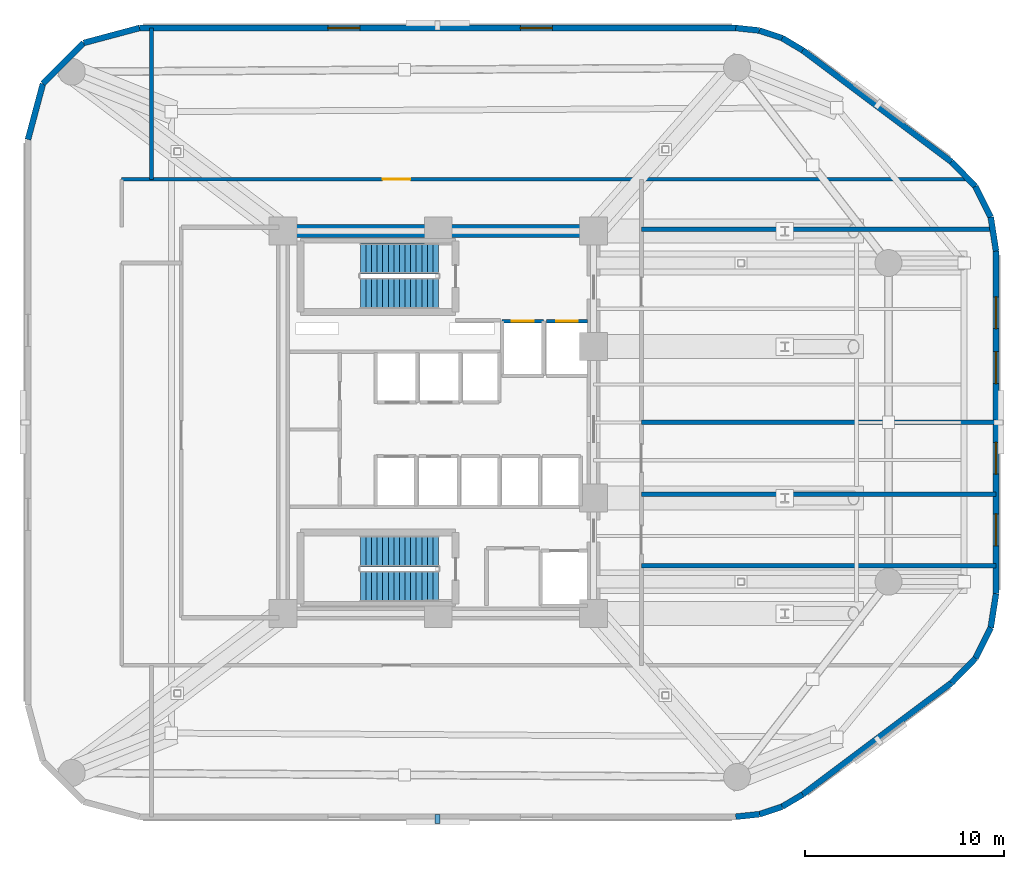
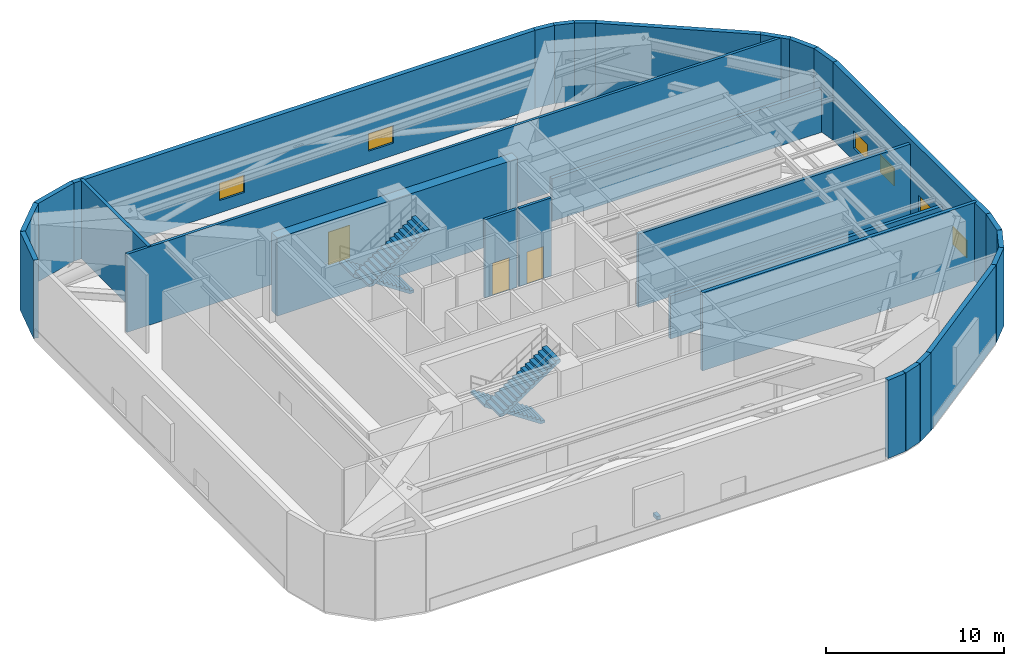
# One storey, part 7 of 10: 28 walls, 6 windows, 4 stair flights, 3 doors, 1 discrete accessory, 9 openings, 2 elements without a shape of their own.
"""IFC4 building model written with IfcOpenShell, lengths in metres."""

from ifc_helpers import new_model, si_unit, direction, frame, frame_2d, origin, origin_2d, place, context, subcontext, project, spatial, polyline, rectangle, outline, extrude, material, layer, layer_set, type_object, element, fill, aggregate, save


model = new_model("IFC4")

# Units and contexts
model_context = context("Model", 3, precision=1e-05, world=origin(), true_north=direction((0.0, 1.0)))
body_context = subcontext(model_context, "Body", "Model", "MODEL_VIEW")
ifc_project = project(units=[si_unit("LENGTHUNIT", "METRE"), si_unit("AREAUNIT", "SQUARE_METRE"), si_unit("VOLUMEUNIT", "CUBIC_METRE"), si_unit("PLANEANGLEUNIT", "RADIAN"), si_unit("MASSUNIT", "GRAM", prefix="KILO")], contexts=[model_context])

# Site, building, storey
site_placement = place(None, origin())
site = spatial("IfcSite", under=ifc_project, at=site_placement, CompositionType="ELEMENT")
building_placement = place(site_placement, origin())
building = spatial("IfcBuilding", under=site, at=building_placement, Name="An Khanh Terracotta Commons", CompositionType="ELEMENT")
storey_placement = place(building_placement, frame((0.0, 0.0, 133.10009765625)))
storey = spatial("IfcBuildingStorey", under=building, at=storey_placement, Name="L35", CompositionType="ELEMENT", Elevation=133.10009765625)

# Wall
ifc_material_1 = material(Name="Concrete C60/75", Category="concrete")
ifc_layer_1 = layer(ifc_material_1, 0.64990234375, Name="Concrete C60/75")
ifc_layer_set_1 = layer_set([ifc_layer_1], Name="Concrete C60/75")
wall_type_1 = type_object("IfcWallType", Name="WALL-CORE-650", PredefinedType="SHEAR", material=ifc_layer_set_1)
wall_1_placement = place(storey_placement, frame((21.60009765625, 33.60009765625, 0.0), z_axis=(0.0, 0.0, 1.0), x_axis=(1.0, 0.0, 0.0)))
element("IfcWall", 1, at=wall_1_placement, inside=storey, type_object=wall_type_1, Name="L35 Core Wall CWALL-L35-N", PredefinedType="SHEAR", context=body_context, shape_type="SweptSolid", body=[
    extrude(rectangle(XDim=15.599853515625, YDim=0.64990234375, at=frame_2d((7.7998046875, 0.0))), origin(), (0.0, 0.0, 1.0), 5.35986328125),
])

# Wall, opening, door
ifc_material_2 = material(Name="Fire-Rated Gypsum Board on Steel Stud", Category="steel")
ifc_layer_2 = layer(ifc_material_2, 0.179931640625, Name="Fire-Rated Gypsum Board on Steel Stud")
ifc_layer_set_2 = layer_set([ifc_layer_2], Name="Fire-Rated Gypsum Board on Steel Stud")
wall_type_2 = type_object("IfcWallType", Name="WALL-CORR-180", PredefinedType="PARTITIONING", material=ifc_layer_set_2)
wall_2_placement = place(storey_placement, frame((32.60009765625, 29.080078125, 0.0), z_axis=(0.0, 0.0, 1.0), x_axis=(1.0, 0.0, 0.0)))
wall_2 = element("IfcWall", 2, at=wall_2_placement, inside=storey, type_object=wall_type_2, Name="L35 Core Wall LSH-L35-FFL-01-N", PredefinedType="PARTITIONING", context=body_context, shape_type="SweptSolid", body=[
    extrude(rectangle(XDim=2.079833984375, YDim=0.179931640625, at=frame_2d((1.0400390625, 0.0))), origin(), (0.0, 0.0, 1.0), 5.35986328125),
])
opening_1_placement = place(wall_2_placement, frame((0.489990234375, 0.0, 0.0)))
opening_1 = element("IfcOpeningElement", 3, at=opening_1_placement, cuts=wall_2, Name="Opening LD-FFL-01-L35", PredefinedType="OPENING", context=body_context, shape_type="SweptSolid", body=[
    extrude(rectangle(XDim=1.10009765625, YDim=2.199951171875, at=frame_2d((0.550048828125, 1.10009765625))), frame((0.0, 0.099853515625, 0.0), z_axis=(0.0, -1.0, 0.0), x_axis=(1.0, 0.0, 0.0)), (0.0, 0.0, 1.0), 0.199951171875),
])
ifc_material_3 = material(Name="Brushed Stainless Steel Fire Landing Door", Category="steel")
door_type_1 = type_object("IfcDoorType", Name="DOOR-LD-FFL-1100", OperationType="NOTDEFINED", PredefinedType="DOOR", material=ifc_material_3)
door_1_placement = place(opening_1_placement, origin())
door_1 = element("IfcDoor", 4, at=door_1_placement, inside=storey, type_object=door_type_1, Name="L35 Lift FFL-01 Sliding Landing Door", OperationType="DOUBLE_DOOR_SLIDING", OverallHeight=2.199951171875, OverallWidth=1.10009765625, PredefinedType="DOOR", context=body_context, shape_type="SweptSolid", body=[
    extrude(rectangle(XDim=1.10009765625, YDim=2.199951171875, at=frame_2d((0.550048828125, 1.10009765625))), frame((0.0, 0.02490234375, 0.0), z_axis=(0.0, -1.0, 0.0), x_axis=(1.0, 0.0, 0.0)), (0.0, 0.0, 1.0), 0.050048828125),
])
fill(opening_1, door_1)

wall_3_placement = place(storey_placement, frame((34.820068359375, 29.080078125, 0.0), z_axis=(0.0, 0.0, 1.0), x_axis=(1.0, 0.0, 0.0)))
wall_3 = element("IfcWall", 5, at=wall_3_placement, inside=storey, type_object=wall_type_2, Name="L35 Core Wall LSH-L35-FFL-02-N", PredefinedType="PARTITIONING", context=body_context, shape_type="SweptSolid", body=[
    extrude(rectangle(XDim=2.079833984375, YDim=0.179931640625, at=frame_2d((1.0400390625, 0.0))), origin(), (0.0, 0.0, 1.0), 5.35986328125),
])
opening_2_placement = place(wall_3_placement, frame((0.489990234375, 0.0, 0.0)))
opening_2 = element("IfcOpeningElement", 6, at=opening_2_placement, cuts=wall_3, Name="Opening LD-FFL-02-L35", PredefinedType="OPENING", context=body_context, shape_type="SweptSolid", body=[
    extrude(rectangle(XDim=1.10009765625, YDim=2.199951171875, at=frame_2d((0.550048828125, 1.10009765625))), frame((0.0, 0.099853515625, 0.0), z_axis=(0.0, -1.0, 0.0), x_axis=(1.0, 0.0, 0.0)), (0.0, 0.0, 1.0), 0.199951171875),
])
door_2_placement = place(opening_2_placement, origin())
door_2 = element("IfcDoor", 7, at=door_2_placement, inside=storey, type_object=door_type_1, Name="L35 Lift FFL-02 Sliding Landing Door", OperationType="DOUBLE_DOOR_SLIDING", OverallHeight=2.199951171875, OverallWidth=1.10009765625, PredefinedType="DOOR", context=body_context, shape_type="SweptSolid", body=[
    extrude(rectangle(XDim=1.10009765625, YDim=2.199951171875, at=frame_2d((0.550048828125, 1.10009765625))), frame((0.0, 0.02490234375, 0.0), z_axis=(0.0, -1.0, 0.0), x_axis=(1.0, 0.0, 0.0)), (0.0, 0.0, 1.0), 0.050048828125),
])
fill(opening_2, door_2)

wall_4_placement = place(storey_placement, frame((13.5, 36.199951171875, 0.0), z_axis=(0.0, 0.0, 1.0), x_axis=(1.0, 0.0, 0.0)))
wall_4 = element("IfcWall", 8, at=wall_4_placement, inside=storey, type_object=wall_type_2, Name="L35 Interior Partition IW-L35-E009", PredefinedType="PARTITIONING", context=body_context, shape_type="SweptSolid", body=[
    extrude(rectangle(XDim=42.51904296875, YDim=0.179931640625, at=frame_2d((21.259521484375, 0.0))), origin(), (0.0, 0.0, 1.0), 5.35986328125),
])
opening_3_placement = place(wall_4_placement, frame((13.10009765625, 0.0, 0.0)))
opening_3 = element("IfcOpeningElement", 9, at=opening_3_placement, cuts=wall_4, Name="Opening D-PL", PredefinedType="OPENING", context=body_context, shape_type="SweptSolid", body=[
    extrude(rectangle(XDim=1.39990234375, YDim=2.25, at=frame_2d((0.699951171875, 1.125))), frame((0.0, 0.099853515625, 0.0), z_axis=(0.0, -1.0, 0.0), x_axis=(1.0, 0.0, 0.0)), (0.0, 0.0, 1.0), 0.199951171875),
])
ifc_material_4 = material(Name="Heavy-Duty Acoustic Steel Double Plant Door", Category="steel")
door_type_2 = type_object("IfcDoorType", Name="DOOR-PLANT-1400", OperationType="NOTDEFINED", PredefinedType="DOOR", material=ifc_material_4)
door_3_placement = place(opening_3_placement, origin())
door_3 = element("IfcDoor", 10, at=door_3_placement, inside=storey, type_object=door_type_2, Name="L35 REFN North Pressurised Refuge Area Door", OperationType="DOUBLE_DOOR_SINGLE_SWING", OverallHeight=2.25, OverallWidth=1.39990234375, PredefinedType="DOOR", context=body_context, shape_type="SweptSolid", body=[
    extrude(rectangle(XDim=1.39990234375, YDim=2.25, at=frame_2d((0.699951171875, 1.125))), frame((0.0, 0.02490234375, 0.0), z_axis=(0.0, -1.0, 0.0), x_axis=(1.0, 0.0, 0.0)), (0.0, 0.0, 1.0), 0.050048828125),
])
fill(opening_3, door_3)

# Walls
ifc_material_5 = material(Name="Precast concrete C40/50", Category="concrete")
ifc_layer_3 = layer(ifc_material_5, 0.300048828125, Name="Precast concrete C40/50")
ifc_layer_set_3 = layer_set([ifc_layer_3], Name="Precast concrete C40/50")
wall_type_3 = type_object("IfcWallType", Name="WALL-EXT-300", PredefinedType="SOLIDWALL", material=ifc_layer_set_3)
wall_5_placement = place(storey_placement, frame((44.3330078125, 4.199951171875, 0.0), z_axis=(0.0, 0.0, 1.0), x_axis=(0.994289103787, 0.106720092254, 0.0)))
element("IfcWall", 11, at=wall_5_placement, inside=storey, type_object=wall_type_3, Name="L35 Insulated Terracotta Exterior Wall 5", PredefinedType="SOLIDWALL", context=body_context, shape_type="SweptSolid", body=[
    extrude(rectangle(XDim=1.19873046875, YDim=0.300048828125, at=frame_2d((0.599365234375, 0.0))), origin(), (0.0, 0.0, 1.0), 5.35986328125),
])
wall_6_placement = place(storey_placement, frame((45.52490234375, 4.327880859375, 0.0), z_axis=(0.0, 0.0, 1.0), x_axis=(0.948744332129, 0.316044604847, 0.0)))
element("IfcWall", 12, at=wall_6_placement, inside=storey, type_object=wall_type_3, Name="L35 Insulated Terracotta Exterior Wall 6", PredefinedType="SOLIDWALL", context=body_context, shape_type="SweptSolid", body=[
    extrude(rectangle(XDim=1.19970703125, YDim=0.300048828125, at=frame_2d((0.599853515625, 0.0))), origin(), (0.0, 0.0, 1.0), 5.35986328125),
])
wall_7_placement = place(storey_placement, frame((46.6630859375, 4.70703125, 0.0), z_axis=(0.0, 0.0, 1.0), x_axis=(0.859320591642, 0.511437308749, 0.0)))
element("IfcWall", 13, at=wall_7_placement, inside=storey, type_object=wall_type_3, Name="L35 Insulated Terracotta Exterior Wall 7", PredefinedType="SOLIDWALL", context=body_context, shape_type="SweptSolid", body=[
    extrude(rectangle(XDim=1.19873046875, YDim=0.300048828125, at=frame_2d((0.599365234375, 0.0))), origin(), (0.0, 0.0, 1.0), 5.35986328125),
])
wall_8_placement = place(storey_placement, frame((47.693115234375, 5.320068359375, 0.0), z_axis=(0.0, 0.0, 1.0), x_axis=(0.800012555607, 0.599983258826, 0.0)))
element("IfcWall", 14, at=wall_8_placement, inside=storey, type_object=wall_type_3, Name="L35 Insulated Terracotta Exterior Wall 8", PredefinedType="SOLIDWALL", context=body_context, shape_type="SweptSolid", body=[
    extrude(rectangle(XDim=9.333251953125, YDim=0.300048828125, at=frame_2d((4.66650390625, 0.0))), origin(), (0.0, 0.0, 1.0), 5.35986328125),
])
for number, where, z_axis, x_axis, name in (
    (15, (55.159912109375, 10.919921875, 0.0), (0.0, 0.0, 1.0), (0.6983450845, 0.715761233201, 0.0), "L35 Insulated Terracotta Exterior Wall 9"),
    (16, (56.364013671875, 12.154052734375, 0.0), (0.0, 0.0, 1.0), (0.4472135955, 0.894427191, 0.0), "L35 Insulated Terracotta Exterior Wall 10"),
):
    element("IfcWall", number, at=place(storey_placement, frame(where, z_axis=z_axis, x_axis=x_axis)), inside=storey, type_object=wall_type_3, Name=name, PredefinedType="SOLIDWALL", context=body_context, shape_type="SweptSolid", body=[
        extrude(rectangle(XDim=1.72412109375, YDim=0.300048828125, at=frame_2d((0.862060546875, 0.0))), origin(), (0.0, 0.0, 1.0), 5.35986328125),
    ])
wall_9_placement = place(storey_placement, frame((57.135009765625, 13.696044921875, 0.0), z_axis=(0.0, 0.0, 1.0), x_axis=(0.153620989032, 0.988129845581, 0.0)))
element("IfcWall", 17, at=wall_9_placement, inside=storey, type_object=wall_type_3, Name="L35 Insulated Terracotta Exterior Wall 11", PredefinedType="SOLIDWALL", context=body_context, shape_type="SweptSolid", body=[
    extrude(rectangle(XDim=1.724365234375, YDim=0.300048828125, at=frame_2d((0.8623046875, 0.0))), origin(), (0.0, 0.0, 1.0), 5.35986328125),
])

# Wall, openings, windows
wall_10_placement = place(storey_placement, frame((57.39990234375, 15.39990234375, 0.0), z_axis=(0.0, 0.0, 1.0), x_axis=(0.0, 1.0, 0.0)))
wall_10 = element("IfcWall", 18, at=wall_10_placement, inside=storey, type_object=wall_type_3, Name="L35 Insulated Terracotta Exterior Wall 12", PredefinedType="SOLIDWALL", context=body_context, shape_type="SweptSolid", body=[
    extrude(rectangle(XDim=17.2001953125, YDim=0.300048828125, at=frame_2d((8.60009765625, 0.0))), origin(), (0.0, 0.0, 1.0), 5.35986328125),
])
opening_4_placement = place(wall_10_placement, frame((2.39990234375, 0.0, 0.85009765625)))
opening_4 = element("IfcOpeningElement", 19, at=opening_4_placement, cuts=wall_10, Name="Opening W-12", PredefinedType="OPENING", context=body_context, shape_type="SweptSolid", body=[
    extrude(rectangle(XDim=1.60009765625, YDim=1.199951171875, at=frame_2d((0.800048828125, 0.60009765625))), frame((0.0, 0.159912109375, 0.0), z_axis=(0.0, -1.0, 0.0), x_axis=(1.0, 0.0, 0.0)), (0.0, 0.0, 1.0), 0.320068359375),
])
opening_5_placement = place(wall_10_placement, frame((6.0, 0.0, 0.85009765625)))
opening_5 = element("IfcOpeningElement", 20, at=opening_5_placement, cuts=wall_10, Name="Opening W-12", PredefinedType="OPENING", context=body_context, shape_type="SweptSolid", body=[
    extrude(rectangle(XDim=1.60009765625, YDim=1.199951171875, at=frame_2d((0.800048828125, 0.60009765625))), frame((0.0, 0.159912109375, 0.0), z_axis=(0.0, -1.0, 0.0), x_axis=(1.0, 0.0, 0.0)), (0.0, 0.0, 1.0), 0.320068359375),
])
opening_6_placement = place(wall_10_placement, frame((10.550048828125, 0.0, 0.85009765625)))
opening_6 = element("IfcOpeningElement", 21, at=opening_6_placement, cuts=wall_10, Name="Opening W-12", PredefinedType="OPENING", context=body_context, shape_type="SweptSolid", body=[
    extrude(rectangle(XDim=1.60009765625, YDim=1.199951171875, at=frame_2d((0.800048828125, 0.60009765625))), frame((0.0, 0.159912109375, 0.0), z_axis=(0.0, -1.0, 0.0), x_axis=(1.0, 0.0, 0.0)), (0.0, 0.0, 1.0), 0.320068359375),
])
opening_7_placement = place(wall_10_placement, frame((13.300048828125, 0.0, 0.85009765625)))
opening_7 = element("IfcOpeningElement", 22, at=opening_7_placement, cuts=wall_10, Name="Opening W-12", PredefinedType="OPENING", context=body_context, shape_type="SweptSolid", body=[
    extrude(rectangle(XDim=1.60009765625, YDim=1.199951171875, at=frame_2d((0.800048828125, 0.60009765625))), frame((0.0, 0.159912109375, 0.0), z_axis=(0.0, -1.0, 0.0), x_axis=(1.0, 0.0, 0.0)), (0.0, 0.0, 1.0), 0.320068359375),
])
ifc_material_6 = material(Name="Thermally Broken Aluminium and Low-E Glass", Category="aluminium")
window_type = type_object("IfcWindowType", Name="WIN-REF-1600x1200", PartitioningType="DOUBLE_PANEL_VERTICAL", PredefinedType="WINDOW", material=ifc_material_6)
window_1_placement = place(opening_4_placement, origin())
window_1 = element("IfcWindow", 23, at=window_1_placement, inside=storey, type_object=window_type, Name="L35 Operable Casement Window 12.1", OverallHeight=1.199951171875, OverallWidth=1.60009765625, PartitioningType="DOUBLE_PANEL_VERTICAL", PredefinedType="WINDOW", context=body_context, shape_type="SweptSolid", body=[
    extrude(rectangle(XDim=1.60009765625, YDim=1.199951171875, at=frame_2d((0.800048828125, 0.60009765625))), frame((0.0, 0.030029296875, 0.0), z_axis=(0.0, -1.0, 0.0), x_axis=(1.0, 0.0, 0.0)), (0.0, 0.0, 1.0), 0.06005859375),
])
fill(opening_4, window_1)
window_2_placement = place(opening_5_placement, origin())
window_2 = element("IfcWindow", 24, at=window_2_placement, inside=storey, type_object=window_type, Name="L35 Operable Casement Window 12.2", OverallHeight=1.199951171875, OverallWidth=1.60009765625, PartitioningType="DOUBLE_PANEL_VERTICAL", PredefinedType="WINDOW", context=body_context, shape_type="SweptSolid", body=[
    extrude(rectangle(XDim=1.60009765625, YDim=1.199951171875, at=frame_2d((0.800048828125, 0.60009765625))), frame((0.0, 0.030029296875, 0.0), z_axis=(0.0, -1.0, 0.0), x_axis=(1.0, 0.0, 0.0)), (0.0, 0.0, 1.0), 0.06005859375),
])
fill(opening_5, window_2)
window_3_placement = place(opening_6_placement, origin())
window_3 = element("IfcWindow", 25, at=window_3_placement, inside=storey, type_object=window_type, Name="L35 Operable Casement Window 12.3", OverallHeight=1.199951171875, OverallWidth=1.60009765625, PartitioningType="DOUBLE_PANEL_VERTICAL", PredefinedType="WINDOW", context=body_context, shape_type="SweptSolid", body=[
    extrude(rectangle(XDim=1.60009765625, YDim=1.199951171875, at=frame_2d((0.800048828125, 0.60009765625))), frame((0.0, 0.030029296875, 0.0), z_axis=(0.0, -1.0, 0.0), x_axis=(1.0, 0.0, 0.0)), (0.0, 0.0, 1.0), 0.06005859375),
])
fill(opening_6, window_3)
window_4_placement = place(opening_7_placement, origin())
window_4 = element("IfcWindow", 26, at=window_4_placement, inside=storey, type_object=window_type, Name="L35 Operable Casement Window 12.4", OverallHeight=1.199951171875, OverallWidth=1.60009765625, PartitioningType="DOUBLE_PANEL_VERTICAL", PredefinedType="WINDOW", context=body_context, shape_type="SweptSolid", body=[
    extrude(rectangle(XDim=1.60009765625, YDim=1.199951171875, at=frame_2d((0.800048828125, 0.60009765625))), frame((0.0, 0.030029296875, 0.0), z_axis=(0.0, -1.0, 0.0), x_axis=(1.0, 0.0, 0.0)), (0.0, 0.0, 1.0), 0.06005859375),
])
fill(opening_7, window_4)

# Walls
wall_11_placement = place(storey_placement, frame((57.39990234375, 32.60009765625, 0.0), z_axis=(0.0, 0.0, 1.0), x_axis=(-0.153620989032, 0.988129845581, 0.0)))
element("IfcWall", 27, at=wall_11_placement, inside=storey, type_object=wall_type_3, Name="L35 Insulated Terracotta Exterior Wall 13", PredefinedType="SOLIDWALL", context=body_context, shape_type="SweptSolid", body=[
    extrude(rectangle(XDim=1.724365234375, YDim=0.300048828125, at=frame_2d((0.8623046875, 0.0))), origin(), (0.0, 0.0, 1.0), 5.35986328125),
])
for number, where, z_axis, x_axis, name in (
    (28, (57.135009765625, 34.303955078125, 0.0), (0.0, 0.0, 1.0), (-0.4472135955, 0.894427191, 0.0), "L35 Insulated Terracotta Exterior Wall 14"),
    (29, (56.364013671875, 35.845947265625, 0.0), (0.0, 0.0, 1.0), (-0.6983450845, 0.715761233201, 0.0), "L35 Insulated Terracotta Exterior Wall 15"),
):
    element("IfcWall", number, at=place(storey_placement, frame(where, z_axis=z_axis, x_axis=x_axis)), inside=storey, type_object=wall_type_3, Name=name, PredefinedType="SOLIDWALL", context=body_context, shape_type="SweptSolid", body=[
        extrude(rectangle(XDim=1.72412109375, YDim=0.300048828125, at=frame_2d((0.862060546875, 0.0))), origin(), (0.0, 0.0, 1.0), 5.35986328125),
    ])
wall_12_placement = place(storey_placement, frame((55.159912109375, 37.080078125, 0.0), z_axis=(0.0, 0.0, 1.0), x_axis=(-0.800012555607, 0.599983258826, 0.0)))
element("IfcWall", 30, at=wall_12_placement, inside=storey, type_object=wall_type_3, Name="L35 Insulated Terracotta Exterior Wall 16", PredefinedType="SOLIDWALL", context=body_context, shape_type="SweptSolid", body=[
    extrude(rectangle(XDim=9.333251953125, YDim=0.300048828125, at=frame_2d((4.66650390625, 0.0))), origin(), (0.0, 0.0, 1.0), 5.35986328125),
])
wall_13_placement = place(storey_placement, frame((47.693115234375, 42.679931640625, 0.0), z_axis=(0.0, 0.0, 1.0), x_axis=(-0.859320591642, 0.511437308749, 0.0)))
element("IfcWall", 31, at=wall_13_placement, inside=storey, type_object=wall_type_3, Name="L35 Insulated Terracotta Exterior Wall 17", PredefinedType="SOLIDWALL", context=body_context, shape_type="SweptSolid", body=[
    extrude(rectangle(XDim=1.19873046875, YDim=0.300048828125, at=frame_2d((0.599365234375, 0.0))), origin(), (0.0, 0.0, 1.0), 5.35986328125),
])
wall_14_placement = place(storey_placement, frame((46.6630859375, 43.29296875, 0.0), z_axis=(0.0, 0.0, 1.0), x_axis=(-0.948744332129, 0.316044604847, 0.0)))
element("IfcWall", 32, at=wall_14_placement, inside=storey, type_object=wall_type_3, Name="L35 Insulated Terracotta Exterior Wall 18", PredefinedType="SOLIDWALL", context=body_context, shape_type="SweptSolid", body=[
    extrude(rectangle(XDim=1.19970703125, YDim=0.300048828125, at=frame_2d((0.599853515625, 0.0))), origin(), (0.0, 0.0, 1.0), 5.35986328125),
])
wall_15_placement = place(storey_placement, frame((45.52490234375, 43.672119140625, 0.0), z_axis=(0.0, 0.0, 1.0), x_axis=(-0.994289103787, 0.106720092254, 0.0)))
element("IfcWall", 33, at=wall_15_placement, inside=storey, type_object=wall_type_3, Name="L35 Insulated Terracotta Exterior Wall 19", PredefinedType="SOLIDWALL", context=body_context, shape_type="SweptSolid", body=[
    extrude(rectangle(XDim=1.19873046875, YDim=0.300048828125, at=frame_2d((0.599365234375, 0.0))), origin(), (0.0, 0.0, 1.0), 5.35986328125),
])

# Wall, openings, windows
wall_16_placement = place(storey_placement, frame((44.3330078125, 43.800048828125, 0.0), z_axis=(0.0, 0.0, 1.0), x_axis=(-1.0, 0.0, 0.0)))
wall_16 = element("IfcWall", 34, at=wall_16_placement, inside=storey, type_object=wall_type_3, Name="L35 Insulated Terracotta Exterior Wall 20", PredefinedType="SOLIDWALL", context=body_context, shape_type="SweptSolid", body=[
    extrude(rectangle(XDim=29.93310546875, YDim=0.300048828125, at=frame_2d((14.966552734375, 0.0))), origin(), (0.0, 0.0, 1.0), 5.35986328125),
])
opening_8_placement = place(wall_16_placement, frame((9.2109375, 0.0, 0.85009765625)))
opening_8 = element("IfcOpeningElement", 35, at=opening_8_placement, cuts=wall_16, Name="Opening W-12", PredefinedType="OPENING", context=body_context, shape_type="SweptSolid", body=[
    extrude(rectangle(XDim=1.60009765625, YDim=1.199951171875, at=frame_2d((0.800048828125, 0.60009765625))), frame((0.0, 0.159912109375, 0.0), z_axis=(0.0, -1.0, 0.0), x_axis=(1.0, 0.0, 0.0)), (0.0, 0.0, 1.0), 0.320068359375),
])
opening_9_placement = place(wall_16_placement, frame((18.8720703125, 0.0, 0.85009765625)))
opening_9 = element("IfcOpeningElement", 36, at=opening_9_placement, cuts=wall_16, Name="Opening W-12", PredefinedType="OPENING", context=body_context, shape_type="SweptSolid", body=[
    extrude(rectangle(XDim=1.60009765625, YDim=1.199951171875, at=frame_2d((0.800048828125, 0.60009765625))), frame((0.0, 0.159912109375, 0.0), z_axis=(0.0, -1.0, 0.0), x_axis=(1.0, 0.0, 0.0)), (0.0, 0.0, 1.0), 0.320068359375),
])
window_5_placement = place(opening_8_placement, origin())
window_5 = element("IfcWindow", 37, at=window_5_placement, inside=storey, type_object=window_type, Name="L35 Operable Casement Window 20.1", OverallHeight=1.199951171875, OverallWidth=1.60009765625, PartitioningType="DOUBLE_PANEL_VERTICAL", PredefinedType="WINDOW", context=body_context, shape_type="SweptSolid", body=[
    extrude(rectangle(XDim=1.60009765625, YDim=1.199951171875, at=frame_2d((0.800048828125, 0.60009765625))), frame((0.0, 0.030029296875, 0.0), z_axis=(0.0, -1.0, 0.0), x_axis=(1.0, 0.0, 0.0)), (0.0, 0.0, 1.0), 0.06005859375),
])
fill(opening_8, window_5)
window_6_placement = place(opening_9_placement, origin())
window_6 = element("IfcWindow", 38, at=window_6_placement, inside=storey, type_object=window_type, Name="L35 Operable Casement Window 20.2", OverallHeight=1.199951171875, OverallWidth=1.60009765625, PartitioningType="DOUBLE_PANEL_VERTICAL", PredefinedType="WINDOW", context=body_context, shape_type="SweptSolid", body=[
    extrude(rectangle(XDim=1.60009765625, YDim=1.199951171875, at=frame_2d((0.800048828125, 0.60009765625))), frame((0.0, 0.030029296875, 0.0), z_axis=(0.0, -1.0, 0.0), x_axis=(1.0, 0.0, 0.0)), (0.0, 0.0, 1.0), 0.06005859375),
])
fill(opening_9, window_6)

# Walls
wall_17_placement = place(storey_placement, frame((14.39990234375, 43.800048828125, 0.0), z_axis=(0.0, 0.0, 1.0), x_axis=(-0.965943540406, -0.258752926066, 0.0)))
element("IfcWall", 39, at=wall_17_placement, inside=storey, type_object=wall_type_3, Name="L35 Insulated Terracotta Exterior Wall 21", PredefinedType="SOLIDWALL", context=body_context, shape_type="SweptSolid", body=[
    extrude(rectangle(XDim=2.8984375, YDim=0.300048828125, at=frame_2d((1.44921875, 0.0))), origin(), (0.0, 0.0, 1.0), 5.35986328125),
])
wall_18_placement = place(storey_placement, frame((11.60009765625, 43.050048828125, 0.0), z_axis=(0.0, 0.0, 1.0), x_axis=(-0.707106781187, -0.707106781187, 0.0)))
element("IfcWall", 40, at=wall_18_placement, inside=storey, type_object=wall_type_3, Name="L35 Insulated Terracotta Exterior Wall 22", PredefinedType="SOLIDWALL", context=body_context, shape_type="SweptSolid", body=[
    extrude(rectangle(XDim=2.899169921875, YDim=0.300048828125, at=frame_2d((1.44970703125, 0.0))), origin(), (0.0, 0.0, 1.0), 5.35986328125),
])
wall_19_placement = place(storey_placement, frame((9.550048828125, 41.0, 0.0), z_axis=(0.0, 0.0, 1.0), x_axis=(-0.258731875344, -0.96594917914, 0.0)))
element("IfcWall", 41, at=wall_19_placement, inside=storey, type_object=wall_type_3, Name="L35 Insulated Terracotta Exterior Wall 23", PredefinedType="SOLIDWALL", context=body_context, shape_type="SweptSolid", body=[
    extrude(rectangle(XDim=2.898681640625, YDim=0.300048828125, at=frame_2d((1.44921875, 0.0))), origin(), (0.0, 0.0, 1.0), 5.35986328125),
])
ifc_material_7 = material(Name="Acoustic Double-Stud Gypsum and Mineral Wool")
ifc_layer_4 = layer(ifc_material_7, 0.219970703125, Name="Acoustic Double-Stud Gypsum and Mineral Wool")
ifc_layer_set_4 = layer_set([ifc_layer_4], Name="Acoustic Double-Stud Gypsum and Mineral Wool")
wall_type_4 = type_object("IfcWallType", Name="WALL-PARTY-220", PredefinedType="PARTITIONING", material=ifc_layer_set_4)
wall_20_placement = place(storey_placement, frame((39.60009765625, 16.800048828125, 0.0), z_axis=(0.0, 0.0, 1.0), x_axis=(1.0, 0.0, 0.0)))
element("IfcWall", 42, at=wall_20_placement, inside=storey, type_object=wall_type_4, Name="L35 Interior Partition IW-L35-E003", PredefinedType="PARTITIONING", context=body_context, shape_type="SweptSolid", body=[
    extrude(rectangle(XDim=17.7998046875, YDim=0.219970703125, at=frame_2d((8.89990234375, 0.0))), origin(), (0.0, 0.0, 1.0), 5.35986328125),
])
wall_21_placement = place(storey_placement, frame((39.60009765625, 20.39990234375, 0.0), z_axis=(0.0, 0.0, 1.0), x_axis=(1.0, 0.0, 0.0)))
element("IfcWall", 43, at=wall_21_placement, inside=storey, type_object=wall_type_4, Name="L35 Interior Partition IW-L35-E004", PredefinedType="PARTITIONING", context=body_context, shape_type="SweptSolid", body=[
    extrude(rectangle(XDim=17.7998046875, YDim=0.219970703125, at=frame_2d((8.89990234375, 0.0))), origin(), (0.0, 0.0, 1.0), 2.94189453125),
])
wall_22_placement = place(storey_placement, frame((39.60009765625, 24.0, 0.0), z_axis=(0.0, 0.0, 1.0), x_axis=(1.0, 0.0, 0.0)))
element("IfcWall", 44, at=wall_22_placement, inside=storey, type_object=wall_type_4, Name="L35 Interior Partition IW-L35-E005", PredefinedType="PARTITIONING", context=body_context, shape_type="SweptSolid", body=[
    extrude(rectangle(XDim=17.7998046875, YDim=0.219970703125, at=frame_2d((8.89990234375, 0.0))), origin(), (0.0, 0.0, 1.0), 5.011962890625),
])
wall_23_placement = place(storey_placement, frame((39.60009765625, 33.699951171875, 0.0), z_axis=(0.0, 0.0, 1.0), x_axis=(1.0, 0.0, 0.0)))
element("IfcWall", 45, at=wall_23_placement, inside=storey, type_object=wall_type_4, Name="L35 Interior Partition IW-L35-E007", PredefinedType="PARTITIONING", context=body_context, shape_type="SweptSolid", body=[
    extrude(rectangle(XDim=17.62890625, YDim=0.219970703125, at=frame_2d((8.814453125, 0.0))), origin(), (0.0, 0.0, 1.0), 2.94189453125),
])
wall_24_placement = place(storey_placement, frame((15.0, 36.199951171875, 0.0), z_axis=(0.0, 0.0, 1.0), x_axis=(0.0, 1.0, 0.0)))
element("IfcWall", 46, at=wall_24_placement, inside=storey, type_object=wall_type_4, Name="L35 Interior Partition IW-L35-E013", PredefinedType="PARTITIONING", context=body_context, shape_type="SweptSolid", body=[
    extrude(rectangle(XDim=7.60009765625, YDim=0.219970703125, at=frame_2d((3.800048828125, 0.0))), origin(), (0.0, 0.0, 1.0), 5.35986328125),
])

# Stair, stair flights
stair_type = type_object("IfcStairType", Name="STAIR-CORE-1550", PredefinedType="HALF_TURN_STAIR", material=ifc_material_5)
stair_1_placement = place(storey_placement, origin())
stair_1 = element("IfcStair", 47, at=stair_1_placement, inside=storey, type_object=stair_type, Name="L35 Core Smokeproof Exit Stair ST-01", PredefinedType="HALF_TURN_STAIR")
stair_flight_type = type_object("IfcStairFlightType", Name="FLIGHT-CORE-1550", PredefinedType="STRAIGHT", material=ifc_material_5)
stair_flight_1_placement = place(storey_placement, frame((29.409912109375, 32.22509765625, 0.0), z_axis=(0.0, 0.0, 1.0), x_axis=(-1.0, 0.0, 0.0)))
stair_flight_1 = element("IfcStairFlight", 48, at=stair_flight_1_placement, type_object=stair_flight_type, Name="ST-01 flight 1", NumberOfRisers=15, NumberOfTreads=14, PredefinedType="STRAIGHT", RiserHeight=0.186666667, TreadLength=0.28, context=body_context, shape_type="SweptSolid", body=[
    extrude(outline(polyline([(0.0, 0.0), (0.0, 0.186767578125), (0.280029296875, 0.186767578125), (0.280029296875, 0.373291015625), (0.56005859375, 0.373291015625), (0.56005859375, 0.56005859375), (0.840087890625, 0.56005859375), (0.840087890625, 0.74658203125), (1.1201171875, 0.74658203125), (1.1201171875, 0.933349609375), (1.39990234375, 0.933349609375), (1.39990234375, 1.1201171875), (1.679931640625, 1.1201171875), (1.679931640625, 1.306640625), (1.9599609375, 1.306640625), (1.9599609375, 1.493408203125), (2.239990234375, 1.493408203125), (2.239990234375, 1.679931640625), (2.52001953125, 1.679931640625), (2.52001953125, 1.86669921875), (2.800048828125, 1.86669921875), (2.800048828125, 2.05322265625), (3.080078125, 2.05322265625), (3.080078125, 2.239990234375), (3.360107421875, 2.239990234375), (3.360107421875, 2.4267578125), (3.639892578125, 2.4267578125), (3.639892578125, 2.61328125), (3.919921875, 2.61328125), (3.919921875, 2.800048828125), (3.919921875, 2.43310546875), (0.270263671875, 0.0), (0.0, 0.0)])), frame((0.0, 0.77490234375, 0.0), z_axis=(0.0, -1.0, 0.0), x_axis=(1.0, 0.0, 0.0)), (0.0, 0.0, 1.0), 1.550048828125),
])
stair_flight_2_placement = place(storey_placement, frame((25.489990234375, 30.47509765625, 2.7998046875), z_axis=(0.0, 0.0, 1.0), x_axis=(1.0, 0.0, 0.0)))
stair_flight_2 = element("IfcStairFlight", 49, at=stair_flight_2_placement, type_object=stair_flight_type, Name="ST-01 flight 2", NumberOfRisers=15, NumberOfTreads=14, PredefinedType="STRAIGHT", RiserHeight=0.186666667, TreadLength=0.28, context=body_context, shape_type="SweptSolid", body=[
    extrude(outline(polyline([(0.0, 0.0), (0.0, 0.186767578125), (0.280029296875, 0.186767578125), (0.280029296875, 0.373291015625), (0.56005859375, 0.373291015625), (0.56005859375, 0.56005859375), (0.840087890625, 0.56005859375), (0.840087890625, 0.74658203125), (1.1201171875, 0.74658203125), (1.1201171875, 0.933349609375), (1.39990234375, 0.933349609375), (1.39990234375, 1.1201171875), (1.679931640625, 1.1201171875), (1.679931640625, 1.306640625), (1.9599609375, 1.306640625), (1.9599609375, 1.493408203125), (2.239990234375, 1.493408203125), (2.239990234375, 1.679931640625), (2.52001953125, 1.679931640625), (2.52001953125, 1.86669921875), (2.800048828125, 1.86669921875), (2.800048828125, 2.05322265625), (3.080078125, 2.05322265625), (3.080078125, 2.239990234375), (3.360107421875, 2.239990234375), (3.360107421875, 2.4267578125), (3.639892578125, 2.4267578125), (3.639892578125, 2.61328125), (3.919921875, 2.61328125), (3.919921875, 2.800048828125), (3.919921875, 2.43310546875), (0.270263671875, 0.0), (0.0, 0.0)])), frame((0.0, 0.77490234375, 0.0), z_axis=(0.0, -1.0, 0.0), x_axis=(1.0, 0.0, 0.0)), (0.0, 0.0, 1.0), 1.550048828125),
])
aggregate(stair_1, [stair_flight_1, stair_flight_2])

stair_2_placement = place(storey_placement, origin())
stair_2 = element("IfcStair", 50, at=stair_2_placement, inside=storey, type_object=stair_type, Name="L35 Core Smokeproof Exit Stair ST-02", PredefinedType="HALF_TURN_STAIR")
stair_flight_3_placement = place(storey_placement, frame((29.409912109375, 17.52490234375, 0.0), z_axis=(0.0, 0.0, 1.0), x_axis=(-1.0, 0.0, 0.0)))
stair_flight_3 = element("IfcStairFlight", 51, at=stair_flight_3_placement, type_object=stair_flight_type, Name="ST-02 flight 1", NumberOfRisers=15, NumberOfTreads=14, PredefinedType="STRAIGHT", RiserHeight=0.186666667, TreadLength=0.28, context=body_context, shape_type="SweptSolid", body=[
    extrude(outline(polyline([(0.0, 0.0), (0.0, 0.186767578125), (0.280029296875, 0.186767578125), (0.280029296875, 0.373291015625), (0.56005859375, 0.373291015625), (0.56005859375, 0.56005859375), (0.840087890625, 0.56005859375), (0.840087890625, 0.74658203125), (1.1201171875, 0.74658203125), (1.1201171875, 0.933349609375), (1.39990234375, 0.933349609375), (1.39990234375, 1.1201171875), (1.679931640625, 1.1201171875), (1.679931640625, 1.306640625), (1.9599609375, 1.306640625), (1.9599609375, 1.493408203125), (2.239990234375, 1.493408203125), (2.239990234375, 1.679931640625), (2.52001953125, 1.679931640625), (2.52001953125, 1.86669921875), (2.800048828125, 1.86669921875), (2.800048828125, 2.05322265625), (3.080078125, 2.05322265625), (3.080078125, 2.239990234375), (3.360107421875, 2.239990234375), (3.360107421875, 2.4267578125), (3.639892578125, 2.4267578125), (3.639892578125, 2.61328125), (3.919921875, 2.61328125), (3.919921875, 2.800048828125), (3.919921875, 2.43310546875), (0.270263671875, 0.0), (0.0, 0.0)])), frame((0.0, 0.77490234375, 0.0), z_axis=(0.0, -1.0, 0.0), x_axis=(1.0, 0.0, 0.0)), (0.0, 0.0, 1.0), 1.550048828125),
])
stair_flight_4_placement = place(storey_placement, frame((25.489990234375, 15.77490234375, 2.7998046875), z_axis=(0.0, 0.0, 1.0), x_axis=(1.0, 0.0, 0.0)))
stair_flight_4 = element("IfcStairFlight", 52, at=stair_flight_4_placement, type_object=stair_flight_type, Name="ST-02 flight 2", NumberOfRisers=15, NumberOfTreads=14, PredefinedType="STRAIGHT", RiserHeight=0.186666667, TreadLength=0.28, context=body_context, shape_type="SweptSolid", body=[
    extrude(outline(polyline([(0.0, 0.0), (0.0, 0.186767578125), (0.280029296875, 0.186767578125), (0.280029296875, 0.373291015625), (0.56005859375, 0.373291015625), (0.56005859375, 0.56005859375), (0.840087890625, 0.56005859375), (0.840087890625, 0.74658203125), (1.1201171875, 0.74658203125), (1.1201171875, 0.933349609375), (1.39990234375, 0.933349609375), (1.39990234375, 1.1201171875), (1.679931640625, 1.1201171875), (1.679931640625, 1.306640625), (1.9599609375, 1.306640625), (1.9599609375, 1.493408203125), (2.239990234375, 1.493408203125), (2.239990234375, 1.679931640625), (2.52001953125, 1.679931640625), (2.52001953125, 1.86669921875), (2.800048828125, 1.86669921875), (2.800048828125, 2.05322265625), (3.080078125, 2.05322265625), (3.080078125, 2.239990234375), (3.360107421875, 2.239990234375), (3.360107421875, 2.4267578125), (3.639892578125, 2.4267578125), (3.639892578125, 2.61328125), (3.919921875, 2.61328125), (3.919921875, 2.800048828125), (3.919921875, 2.43310546875), (0.270263671875, 0.0), (0.0, 0.0)])), frame((0.0, 0.77490234375, 0.0), z_axis=(0.0, -1.0, 0.0), x_axis=(1.0, 0.0, 0.0)), (0.0, 0.0, 1.0), 1.550048828125),
])
aggregate(stair_2, [stair_flight_3, stair_flight_4])

# Discrete accessory
ifc_material_8 = material(Name="Stainless Steel Grade 316L", Category="steel")
discrete_accessory_type = type_object("IfcDiscreteAccessoryType", Name="Stainless Outrigger Facade Bracket", PredefinedType="BRACKET", material=ifc_material_8)
discrete_accessory_placement = place(storey_placement, frame((29.365966796875, 4.080078125, 1.1796875), z_axis=(0.0, 0.0, 1.0), x_axis=(1.0, 0.0, 0.0)))
element("IfcDiscreteAccessory", 53, at=discrete_accessory_placement, inside=storey, type_object=discrete_accessory_type, Name="L35 Louvre Bracket 4", PredefinedType="BRACKET", context=body_context, shape_type="SweptSolid", body=[
    extrude(rectangle(XDim=0.239990234375, YDim=0.449951171875, at=origin_2d()), origin(), (0.0, 0.0, 1.0), 0.239990234375),
])

save(model, "model.ifc")
